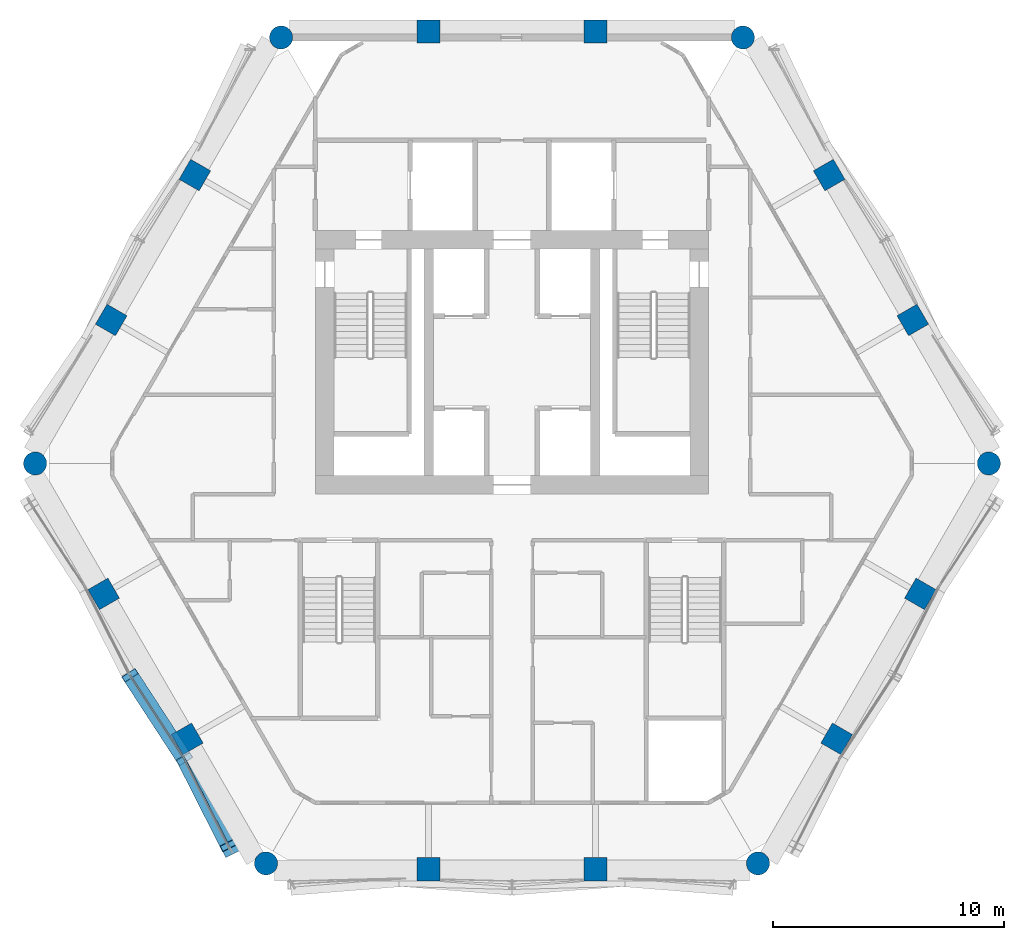
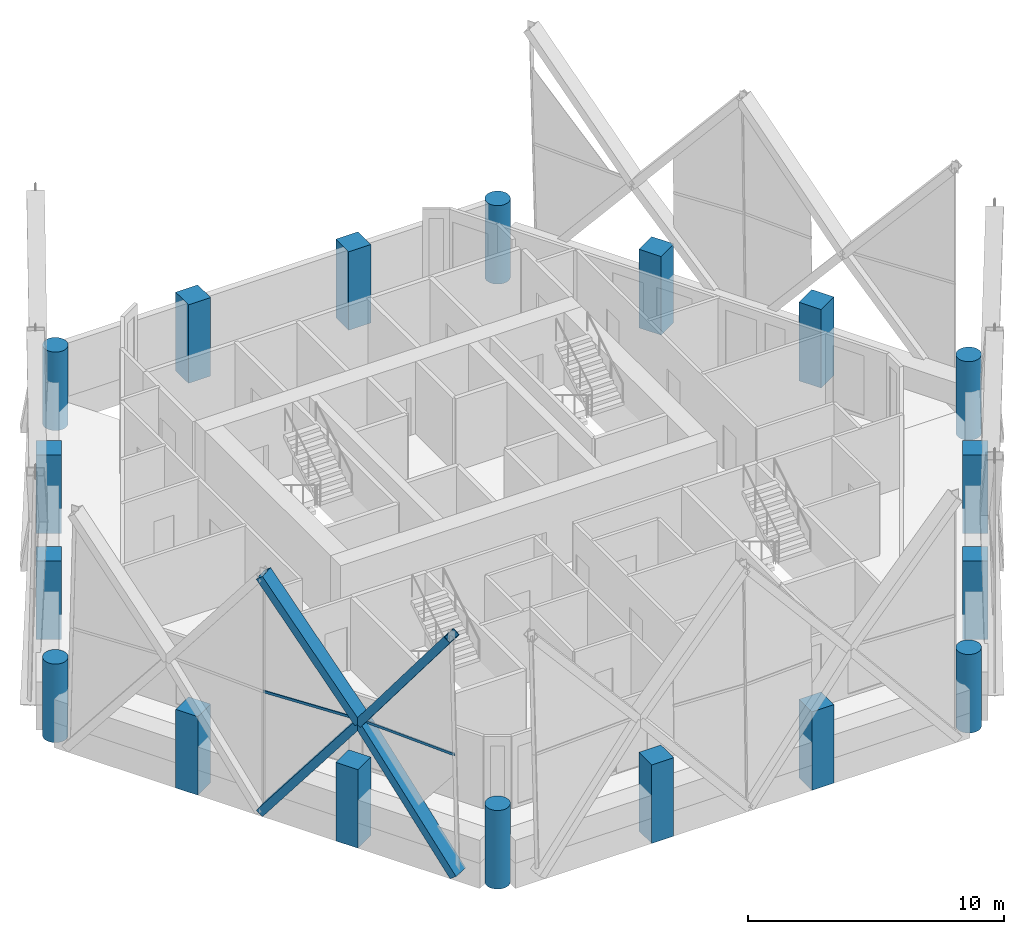
# One storey, part 1 of 18: 18 columns, 6 members, 1 element without a shape of its own.
"""IFC4 building model written with IfcOpenShell, lengths in metres."""

from ifc_helpers import new_model, si_unit, direction, frame, origin, origin_2d, place, context, subcontext, project, spatial, rectangle, hollow_rectangle, circle, extrude, material, material_profile, profile_set, type_object, element, aggregate, save


model = new_model("IFC4")

# Units and contexts
model_context = context("Model", 3, precision=1e-05, world=origin(), true_north=direction((0.0, 1.0)))
body_context = subcontext(model_context, "Body", "Model", "MODEL_VIEW")
ifc_project = project(units=[si_unit("LENGTHUNIT", "METRE"), si_unit("AREAUNIT", "SQUARE_METRE"), si_unit("VOLUMEUNIT", "CUBIC_METRE"), si_unit("PLANEANGLEUNIT", "RADIAN"), si_unit("MASSUNIT", "GRAM", prefix="KILO")], contexts=[model_context])

# Site, building, storey
site_placement = place(None, origin())
site = spatial("IfcSite", under=ifc_project, at=site_placement, CompositionType="ELEMENT")
building_placement = place(site_placement, origin())
building = spatial("IfcBuilding", under=site, at=building_placement, Name="Ostrander Bayou Hotel Tower", CompositionType="ELEMENT")
storey_placement = place(building_placement, frame((0.0, 0.0, 175.75)))
storey = spatial("IfcBuildingStorey", under=building, at=storey_placement, Name="L43", CompositionType="ELEMENT", Elevation=175.75)

# Columns
ifc_material_1 = material(Name="Concrete f'c 60 MPa", Category="concrete")
ifc_material_profile_1 = material_profile(ifc_material_1, circle(Radius=0.5, at=origin_2d()))
ifc_profile_set_1 = profile_set([ifc_material_profile_1], Name="Concrete f'c 60 MPa")
column_type_1 = type_object("IfcColumnType", Name="C5 round column 1000 mm f'c 60 MPa", PredefinedType="COLUMN", material=ifc_profile_set_1)
for number, where, z_axis, x_axis, name in (
    (1, (-9.98388671875, 18.04541015625, -1.199951171875), (0.0, 0.0, 1.0), (1.0, 0.0, 0.0), "C5 L43 K0"),
    (2, (-20.619873046875, -0.37646484375, -1.199951171875), (0.0, 0.0, 1.0), (1.0, 0.0, 0.0), "C5 L43 K1"),
    (3, (-10.635986328125, -17.669189453125, -1.199951171875), (0.0, 0.0, 1.0), (1.0, 0.0, 0.0), "C5 L43 K2"),
    (4, (10.635986328125, -17.669189453125, -1.199951171875), (0.0, 0.0, 1.0), (1.0, 0.0, 0.0), "C5 L43 K3"),
    (5, (20.619873046875, -0.37646484375, -1.199951171875), (0.0, 0.0, 1.0), (1.0, 0.0, 0.0), "C5 L43 K4"),
    (6, (9.98388671875, 18.04541015625, -1.199951171875), (0.0, 0.0, 1.0), (1.0, 0.0, 0.0), "C5 L43 K5"),
):
    element("IfcColumn", number, at=place(storey_placement, frame(where, z_axis=z_axis, x_axis=x_axis)), inside=storey, type_object=column_type_1, Name=name, PredefinedType="COLUMN", context=body_context, shape_type="SweptSolid", body=[
        extrude(circle(Radius=0.5, at=origin_2d()), origin(), (0.0, 0.0, 1.0), 3.75),
    ])
ifc_material_2 = material(Name="Concrete f'c 60 MPa", Category="concrete")
ifc_material_profile_2 = material_profile(ifc_material_2, rectangle(XDim=1.0, YDim=1.0, at=origin_2d()))
ifc_profile_set_2 = profile_set([ifc_material_profile_2], Name="Concrete f'c 60 MPa")
column_type_2 = type_object("IfcColumnType", Name="C6 square column 1000 x 1000 mm f'c 60 MPa", PredefinedType="COLUMN", material=ifc_profile_set_2)
for number, where, z_axis, x_axis, name in (
    (7, (3.6181640625, 18.300048828125, -1.199951171875), (0.0, 0.0, 1.0), (1.0, 0.0, 0.0), "C6 L43 N1"),
    (8, (-3.6181640625, 18.300048828125, -1.199951171875), (0.0, 0.0, 1.0), (1.0, 0.0, 0.0), "C6 L43 N2"),
    (9, (-13.71337890625, 12.09521484375, -1.199951171875), (0.0, 0.0, 1.0), (0.5, 0.866025403784, 0.0), "C6 L43 NW1"),
    (10, (-17.331298828125, 5.82861328125, -1.199951171875), (0.0, 0.0, 1.0), (0.5, 0.866025403784, 0.0), "C6 L43 NW2"),
    (11, (-17.6572265625, -6.0166015625, -1.199951171875), (0.0, 0.0, 1.0), (-0.5, 0.866025403784, 0.0), "C6 L43 SW1"),
    (12, (-14.039306640625, -12.283203125, -1.199951171875), (0.0, 0.0, 1.0), (-0.5, 0.866025403784, 0.0), "C6 L43 SW2"),
    (13, (-3.6181640625, -17.923583984375, -1.199951171875), (0.0, 0.0, 1.0), (-1.0, 0.0, 0.0), "C6 L43 S1"),
    (14, (3.6181640625, -17.923583984375, -1.199951171875), (0.0, 0.0, 1.0), (-1.0, 0.0, 0.0), "C6 L43 S2"),
    (15, (14.039306640625, -12.283203125, -1.199951171875), (0.0, 0.0, 1.0), (-0.5, -0.866025403784, 0.0), "C6 L43 SE1"),
    (16, (17.6572265625, -6.0166015625, -1.199951171875), (0.0, 0.0, 1.0), (-0.5, -0.866025403784, 0.0), "C6 L43 SE2"),
    (17, (17.331298828125, 5.82861328125, -1.199951171875), (0.0, 0.0, 1.0), (0.5, -0.866025403784, 0.0), "C6 L43 NE1"),
    (18, (13.71337890625, 12.09521484375, -1.199951171875), (0.0, 0.0, 1.0), (0.5, -0.866025403784, 0.0), "C6 L43 NE2"),
):
    element("IfcColumn", number, at=place(storey_placement, frame(where, z_axis=z_axis, x_axis=x_axis)), inside=storey, type_object=column_type_2, Name=name, PredefinedType="COLUMN", context=body_context, shape_type="SweptSolid", body=[
        extrude(rectangle(XDim=1.0, YDim=1.0, at=origin_2d()), origin(), (0.0, 0.0, 1.0), 3.75),
    ])

# Curtain wall, members
ifc_material_3 = material(Name="Aluminium and clear glass", Category="aluminium")
curtain_wall_type = type_object("IfcCurtainWallType", Name="CW-LAT lattice glazing", PredefinedType="NOTDEFINED", material=ifc_material_3)
curtain_wall_placement = place(storey_placement, origin())
curtain_wall = element("IfcCurtainWall", 19, at=curtain_wall_placement, inside=storey, type_object=curtain_wall_type, Name="CW-LAT L43 SW 2", PredefinedType="NOTDEFINED")
ifc_material_4 = material(Name="Aluminium", Category="aluminium")
ifc_material_profile_3 = material_profile(ifc_material_4, hollow_rectangle(XDim=0.06005859375, YDim=0.1201171875, WallThickness=0.00390625, at=origin_2d()))
ifc_profile_set_3 = profile_set([ifc_material_profile_3], Name="Aluminium")
member_type_1 = type_object("IfcMemberType", Name="CW-LA transom 60 x 120 mm", PredefinedType="USERDEFINED", material=ifc_profile_set_3)
member_1_placement = place(storey_placement, frame((-16.51513671875, -9.534912109375, 5.02490234375), z_axis=(0.545343273616, -0.838212809447, 0.0), x_axis=(0.838212809447, 0.545343273616, 0.0)))
member_1 = element("IfcMember", 20, at=member_1_placement, type_object=member_type_1, Name="CW-LAT transom 7", ObjectType="TRANSOM", PredefinedType="USERDEFINED", context=body_context, shape_type="SweptSolid", body=[
    extrude(hollow_rectangle(XDim=0.06005859375, YDim=0.1201171875, WallThickness=0.00390625, at=origin_2d()), origin(), (0.0, 0.0, 1.0), 4.327392578125),
])
member_2_placement = place(storey_placement, frame((-12.194091796875, -17.019287109375, 5.02490234375), z_axis=(-0.453229200101, 0.891394016233, 0.0), x_axis=(-0.891394016233, -0.453229200101, 0.0)))
member_2 = element("IfcMember", 21, at=member_2_placement, type_object=member_type_1, Name="CW-LAT transom 10", ObjectType="TRANSOM", PredefinedType="USERDEFINED", context=body_context, shape_type="SweptSolid", body=[
    extrude(hollow_rectangle(XDim=0.06005859375, YDim=0.1201171875, WallThickness=0.00390625, at=origin_2d()), origin(), (0.0, 0.0, 1.0), 4.3271484375),
])
aggregate(curtain_wall, [member_1, member_2])

# Members
ifc_material_5 = material(Name="Steel ASTM A572 Gr 50", Category="steel")
ifc_material_profile_4 = material_profile(ifc_material_5, hollow_rectangle(XDim=0.699951171875, YDim=0.35009765625, WallThickness=0.02490234375, at=origin_2d()))
ifc_profile_set_4 = profile_set([ifc_material_profile_4], Name="Steel ASTM A572 Gr 50")
member_type_2 = type_object("IfcMemberType", Name="LT1 lattice member box 700 x 350 x 25 mm", PredefinedType="BRACE", material=ifc_profile_set_4)
for number, where, z_axis, x_axis, name in (
    (22, (-14.1552734375, -13.162109375, 5.02490234375), (-0.332519799468, 0.51109524733, -0.792598404691), (-0.838212809447, -0.545343273616, 0.0), "LT1 L43 SW 5"),
    (23, (-14.1552734375, -13.162109375, 5.02490234375), (-0.332519799468, 0.51109524733, 0.792598404691), (-0.838212809447, -0.545343273616, 0.0), "LT1 L43 SW 6"),
):
    element("IfcMember", number, at=place(storey_placement, frame(where, z_axis=z_axis, x_axis=x_axis)), inside=storey, type_object=member_type_2, Name=name, PredefinedType="BRACE", context=body_context, shape_type="SweptSolid", body=[
        extrude(hollow_rectangle(XDim=0.699951171875, YDim=0.35009765625, WallThickness=0.02490234375, at=origin_2d()), origin(), (0.0, 0.0, 1.0), 7.096923828125),
    ])
member_3_placement = place(storey_placement, frame((-14.1552734375, -13.162109375, 5.02490234375), z_axis=(0.282879690251, -0.554001046428, -0.782982708238), x_axis=(0.890614680685, 0.454758716846, 0.0)))
element("IfcMember", 24, at=member_3_placement, inside=storey, type_object=member_type_2, Name="LT1 L43 SW 7", PredefinedType="BRACE", context=body_context, shape_type="SweptSolid", body=[
    extrude(hollow_rectangle(XDim=0.699951171875, YDim=0.35009765625, WallThickness=0.02490234375, at=origin_2d()), origin(), (0.0, 0.0, 1.0), 7.18408203125),
])
member_4_placement = place(storey_placement, frame((-14.1552734375, -13.162109375, 5.02490234375), z_axis=(0.269615344054, -0.532614787893, 0.802264952474), x_axis=(0.8921997051, 0.451641103333, 0.0)))
element("IfcMember", 25, at=member_4_placement, inside=storey, type_object=member_type_2, Name="LT1 L43 SW 8", PredefinedType="BRACE", context=body_context, shape_type="SweptSolid", body=[
    extrude(hollow_rectangle(XDim=0.699951171875, YDim=0.35009765625, WallThickness=0.02490234375, at=origin_2d()), origin(), (0.0, 0.0, 1.0), 7.011474609375),
])

save(model, "model.ifc")
